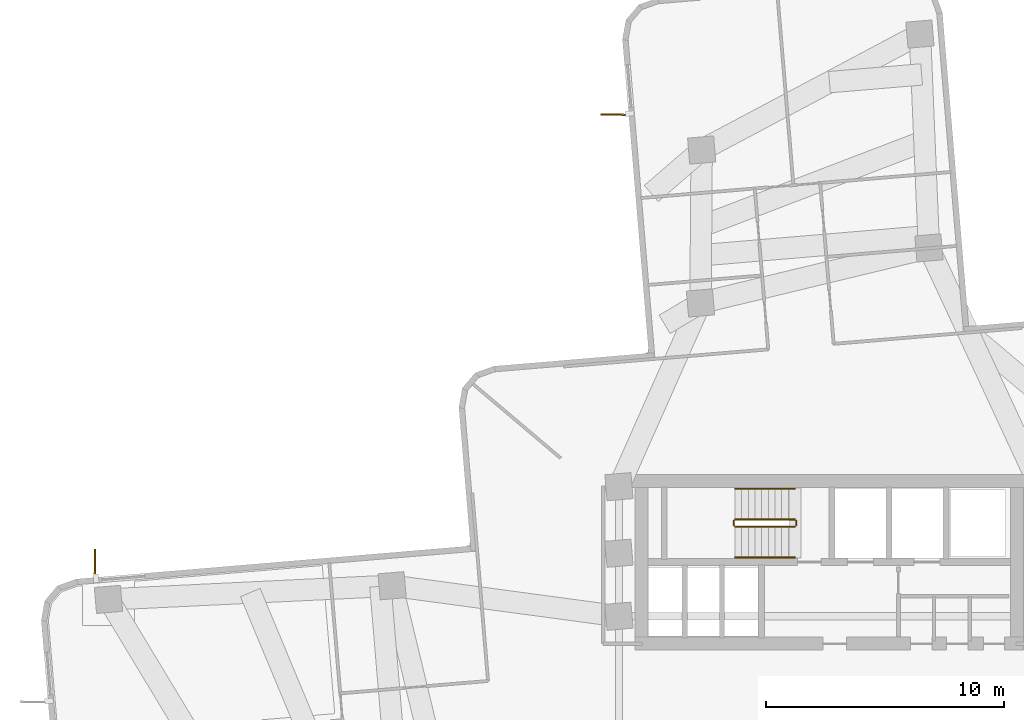
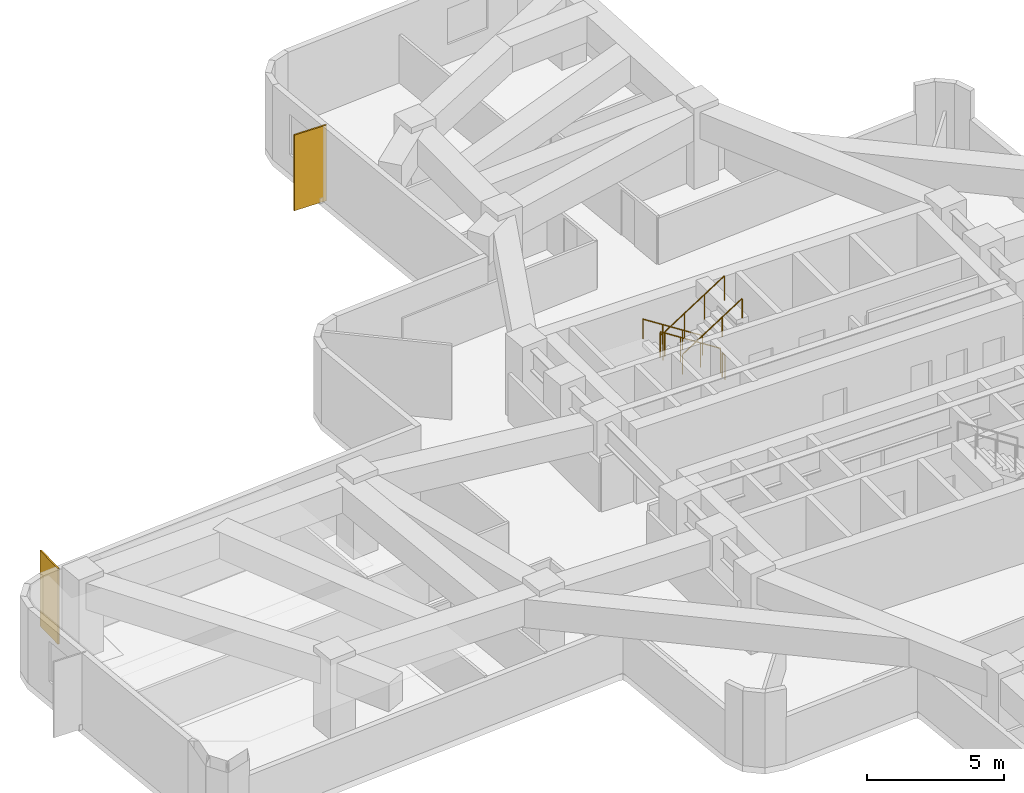
# One storey, part 10 of 11: 6 railings, 2 shading devices.
"""IFC4 building model written with IfcOpenShell, lengths in metres."""

from ifc_helpers import new_model, si_unit, direction, frame, origin, origin_2d, place, context, subcontext, project, spatial, rectangle, circle, extrude, material, layer, layer_set, type_object, element, save


model = new_model("IFC4")

# Units and contexts
model_context = context("Model", 3, precision=1e-05, world=origin(), true_north=direction((0.0, 1.0)))
body_context = subcontext(model_context, "Body", "Model", "MODEL_VIEW")
ifc_project = project(units=[si_unit("LENGTHUNIT", "METRE"), si_unit("AREAUNIT", "SQUARE_METRE"), si_unit("VOLUMEUNIT", "CUBIC_METRE"), si_unit("PLANEANGLEUNIT", "RADIAN"), si_unit("MASSUNIT", "GRAM", prefix="KILO")], contexts=[model_context])

# Site, building, storey
site_placement = place(None, origin())
site = spatial("IfcSite", under=ifc_project, at=site_placement, CompositionType="ELEMENT")
building_placement = place(site_placement, origin())
building = spatial("IfcBuilding", under=site, at=building_placement, Name="Solmarez Civic Tower", CompositionType="ELEMENT")
storey_placement = place(building_placement, frame((0.0, 0.0, 64.080078125)))
storey = spatial("IfcBuildingStorey", under=building, at=storey_placement, Name="L16", CompositionType="ELEMENT", Elevation=64.080078125)

# Shading devices
ifc_material_1 = material(Name="Bronze Anodised Aluminium EN AW-6063 T6", Category="aluminium")
ifc_layer = layer(ifc_material_1, 0.06494140625)
ifc_layer_set = layer_set([ifc_layer], Name="Bronze Anodised Aluminium EN AW-6063 T6")
shading_device_type = type_object("IfcShadingDeviceType", Name="FIN-BRONZE-Z12", PredefinedType="USERDEFINED", material=ifc_layer_set)
for number, where, z_axis, x_axis, name in (
    (1, (-30.888916015625, 5.0380859375, -0.0400390625), (0.0, 0.0, 1.0), (0.017679264232, 0.999843709595, 0.0), "L16 Anodised Bronze Solar Fin FIN-L16-02"),
    (2, (-8.944091796875, 23.9951171875, -0.0400390625), (0.0, 0.0, 1.0), (-0.999843091863, 0.017714165351, 0.0), "L16 Anodised Bronze Solar Fin FIN-L16-03"),
):
    element("IfcShadingDevice", number, at=place(storey_placement, frame(where, z_axis=z_axis, x_axis=x_axis)), inside=storey, type_object=shading_device_type, Name=name, ObjectType="FIN", PredefinedType="USERDEFINED", context=body_context, shape_type="SweptSolid", body=[
        extrude(rectangle(XDim=1.35009765625, YDim=0.06494140625, at=origin_2d()), origin(), (0.0, 0.0, 1.0), 3.3798828125),
    ])

# Railings
ifc_material_2 = material(Name="Painted Steel Stairwell Safety Guard", Category="steel")
railing_type_1 = type_object("IfcRailingType", Name="GUARD-STAIR-1120", PredefinedType="BALUSTRADE", material=ifc_material_2)
railing_1_placement = place(storey_placement, frame((-1.449951171875, 6.969970703125, 0.179931640625)))
element("IfcRailing", 3, at=railing_1_placement, inside=storey, type_object=railing_type_1, Name="L16 ST-1 stair guard 1", PredefinedType="BALUSTRADE", context=body_context, shape_type="SweptSolid", body=[
    extrude(circle(Radius=0.02392578125, at=origin_2d()), frame((0.0, 0.0, 1.09619140625), z_axis=(-0.841199657755, 0.0, 0.540724639528), x_axis=(0.0, -1.0, 0.0)), (0.0, 0.0, 1.0), 2.995849609375),
    extrude(circle(Radius=0.02099609375, at=origin_2d()), origin(), (0.0, 0.0, 1.0), 1.072021484375),
    extrude(circle(Radius=0.02099609375, at=origin_2d()), frame((-0.840087890625, 0.0, 0.5400390625)), (0.0, 0.0, 1.0), 1.072021484375),
    extrude(circle(Radius=0.02099609375, at=origin_2d()), frame((-1.679931640625, 0.0, 1.079833984375)), (0.0, 0.0, 1.0), 1.072021484375),
    extrude(circle(Radius=0.02099609375, at=origin_2d()), frame((-2.52001953125, 0.0, 1.619873046875)), (0.0, 0.0, 1.0), 1.072021484375),
])
railing_2_placement = place(storey_placement, frame((-4.02001953125, 6.919921875, 1.7998046875)))
element("IfcRailing", 4, at=railing_2_placement, inside=storey, type_object=railing_type_1, Name="L16 ST-1 stair guard 2", PredefinedType="BALUSTRADE", context=body_context, shape_type="SweptSolid", body=[
    extrude(circle(Radius=0.02392578125, at=origin_2d()), frame((0.0, 0.0, 1.09619140625), z_axis=(0.0, -1.0, 0.0), x_axis=(1.0, 0.0, 0.0)), (0.0, 0.0, 1.0), 0.199951171875),
    extrude(circle(Radius=0.02099609375, at=origin_2d()), origin(), (0.0, 0.0, 1.0), 1.072021484375),
    extrude(circle(Radius=0.02099609375, at=origin_2d()), frame((0.0, -0.199951171875, 0.0)), (0.0, 0.0, 1.0), 1.072021484375),
])
railing_3_placement = place(storey_placement, frame((-3.969970703125, 6.669921875, 1.97998046875)))
element("IfcRailing", 5, at=railing_3_placement, inside=storey, type_object=railing_type_1, Name="L16 ST-1 stair guard 3", PredefinedType="BALUSTRADE", context=body_context, shape_type="SweptSolid", body=[
    extrude(circle(Radius=0.02392578125, at=origin_2d()), frame((0.0, 0.0, 1.09619140625), z_axis=(0.841199657755, 0.0, 0.540724639528), x_axis=(0.0, 1.0, 0.0)), (0.0, 0.0, 1.0), 2.995849609375),
    extrude(circle(Radius=0.02099609375, at=origin_2d()), origin(), (0.0, 0.0, 1.0), 1.072021484375),
    extrude(circle(Radius=0.02099609375, at=origin_2d()), frame((0.840087890625, 0.0, 0.5400390625)), (0.0, 0.0, 1.0), 1.072021484375),
    extrude(circle(Radius=0.02099609375, at=origin_2d()), frame((1.679931640625, 0.0, 1.079833984375)), (0.0, 0.0, 1.0), 1.072021484375),
    extrude(circle(Radius=0.02099609375, at=origin_2d()), frame((2.52001953125, 0.0, 1.619873046875)), (0.0, 0.0, 1.0), 1.072021484375),
])
railing_4_placement = place(storey_placement, frame((-1.39990234375, 6.919921875, 0.0)))
element("IfcRailing", 6, at=railing_4_placement, inside=storey, type_object=railing_type_1, Name="L16 ST-1 stair guard 4", PredefinedType="BALUSTRADE", context=body_context, shape_type="SweptSolid", body=[
    extrude(circle(Radius=0.02392578125, at=origin_2d()), frame((0.0, 0.0, 1.09619140625), z_axis=(0.0, -1.0, 0.0), x_axis=(1.0, 0.0, 0.0)), (0.0, 0.0, 1.0), 0.199951171875),
    extrude(circle(Radius=0.02099609375, at=origin_2d()), origin(), (0.0, 0.0, 1.0), 1.072021484375),
    extrude(circle(Radius=0.02099609375, at=origin_2d()), frame((0.0, -0.199951171875, 0.0)), (0.0, 0.0, 1.0), 1.072021484375),
])
ifc_material_3 = material(Name="Brushed Stainless Steel Tube Handrail", Category="steel")
railing_type_2 = type_object("IfcRailingType", Name="HANDRAIL-STAIR-900", PredefinedType="HANDRAIL", material=ifc_material_3)
railing_5_placement = place(storey_placement, frame((-1.449951171875, 8.27001953125, 0.179931640625)))
element("IfcRailing", 7, at=railing_5_placement, inside=storey, type_object=railing_type_2, Name="L16 ST-1 stair handrail 1", PredefinedType="HANDRAIL", context=body_context, shape_type="SweptSolid", body=[
    extrude(circle(Radius=0.02392578125, at=origin_2d()), frame((0.0, 0.0, 0.8759765625), z_axis=(-0.841199657755, 0.0, 0.540724639528), x_axis=(0.0, -1.0, 0.0)), (0.0, 0.0, 1.0), 2.995849609375),
    extrude(circle(Radius=0.02099609375, at=origin_2d()), origin(), (0.0, 0.0, 1.0), 0.851806640625),
    extrude(circle(Radius=0.02099609375, at=origin_2d()), frame((-0.840087890625, 0.0, 0.5400390625)), (0.0, 0.0, 1.0), 0.851806640625),
    extrude(circle(Radius=0.02099609375, at=origin_2d()), frame((-1.679931640625, 0.0, 1.079833984375)), (0.0, 0.0, 1.0), 0.851806640625),
    extrude(circle(Radius=0.02099609375, at=origin_2d()), frame((-2.52001953125, 0.0, 1.619873046875)), (0.0, 0.0, 1.0), 0.851806640625),
])
railing_6_placement = place(storey_placement, frame((-3.969970703125, 5.3701171875, 1.97998046875)))
element("IfcRailing", 8, at=railing_6_placement, inside=storey, type_object=railing_type_2, Name="L16 ST-1 stair handrail 2", PredefinedType="HANDRAIL", context=body_context, shape_type="SweptSolid", body=[
    extrude(circle(Radius=0.02392578125, at=origin_2d()), frame((0.0, 0.0, 0.8759765625), z_axis=(0.841199657755, 0.0, 0.540724639528), x_axis=(0.0, 1.0, 0.0)), (0.0, 0.0, 1.0), 2.995849609375),
    extrude(circle(Radius=0.02099609375, at=origin_2d()), origin(), (0.0, 0.0, 1.0), 0.851806640625),
    extrude(circle(Radius=0.02099609375, at=origin_2d()), frame((0.840087890625, 0.0, 0.5400390625)), (0.0, 0.0, 1.0), 0.851806640625),
    extrude(circle(Radius=0.02099609375, at=origin_2d()), frame((1.679931640625, 0.0, 1.079833984375)), (0.0, 0.0, 1.0), 0.851806640625),
    extrude(circle(Radius=0.02099609375, at=origin_2d()), frame((2.52001953125, 0.0, 1.619873046875)), (0.0, 0.0, 1.0), 0.851806640625),
])

save(model, "model.ifc")
